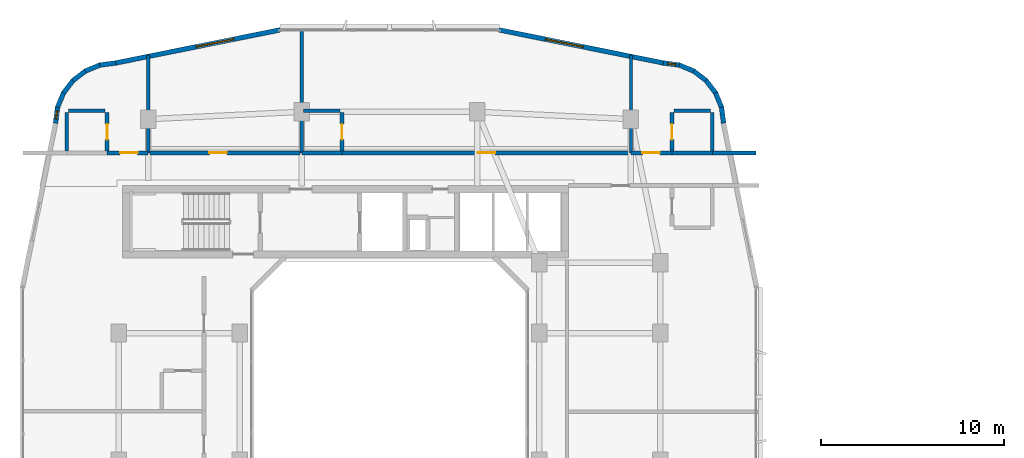
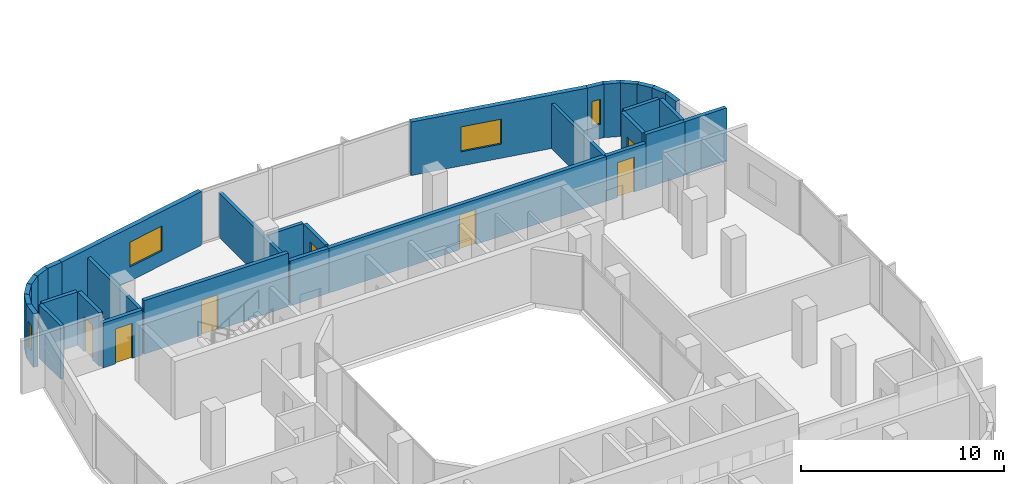
# One storey, part 11 of 18: 32 walls, 7 doors, 4 windows, 11 openings.
"""IFC4 building model written with IfcOpenShell, lengths in metres."""

from ifc_helpers import new_model, si_unit, derived_unit, direction, frame, frame_2d, origin, place, context, subcontext, project, spatial, rectangle, extrude, material, layer, layer_set, type_object, element, fill, save


model = new_model("IFC4")

# Units and contexts
model_context = context("Model", 3, precision=1e-05, world=origin(), true_north=direction((0.0, 1.0)))
body_context = subcontext(model_context, "Body", "Model", "MODEL_VIEW")
ifc_project = project(units=[si_unit("LENGTHUNIT", "METRE"), si_unit("AREAUNIT", "SQUARE_METRE"), si_unit("VOLUMEUNIT", "CUBIC_METRE"), si_unit("PLANEANGLEUNIT", "RADIAN"), si_unit("MASSUNIT", "GRAM", prefix="KILO"), derived_unit("THERMALTRANSMITTANCEUNIT", [(si_unit("POWERUNIT", "WATT"), 1), (si_unit("LENGTHUNIT", "METRE"), -2), (si_unit("THERMODYNAMICTEMPERATUREUNIT", "KELVIN"), -1)])], contexts=[model_context])

# Site, building, storey
site_placement = place(None, origin())
site = spatial("IfcSite", under=ifc_project, at=site_placement, CompositionType="ELEMENT")
building_placement = place(site_placement, origin())
building = spatial("IfcBuilding", under=site, at=building_placement, Name="Kivonza Crest Hotel", CompositionType="ELEMENT")
storey_placement = place(building_placement, frame((0.0, 0.0, 131.0)))
storey = spatial("IfcBuildingStorey", under=building, at=storey_placement, Name="L35", CompositionType="ELEMENT", Elevation=131.0)

# Walls
ifc_material_1 = material(Name="High-density acoustic masonry inter-tenancy wall", Category="masonry")
ifc_layer_1 = layer(ifc_material_1, 0.179931640625)
ifc_layer_set_1 = layer_set([ifc_layer_1], Name="High-density acoustic masonry inter-tenancy wall")
wall_type_1 = type_object("IfcWallType", Name="WL-ACOU-180", PredefinedType="SOLIDWALL", material=ifc_layer_set_1)
wall_1_placement = place(storey_placement, frame((7.800048828125, 38.35009765625, 0.0), z_axis=(0.0, 0.0, 1.0), x_axis=(0.0, 1.0, 0.0)))
element("IfcWall", 1, at=wall_1_placement, inside=storey, type_object=wall_type_1, Name="L35 interior partition WA-L35-T1N-DIV1", PredefinedType="SOLIDWALL", context=body_context, shape_type="SweptSolid", body=[
    extrude(rectangle(XDim=5.350830078125, YDim=0.179931640625, at=frame_2d((2.67529296875, 0.0))), origin(), (0.0, 0.0, 1.0), 2.695068359375),
])
wall_2_placement = place(storey_placement, frame((16.199951171875, 38.35009765625, 0.0), z_axis=(0.0, 0.0, 1.0), x_axis=(0.0, 1.0, 0.0)))
element("IfcWall", 2, at=wall_2_placement, inside=storey, type_object=wall_type_1, Name="L35 interior partition WA-L35-T1N-DIV2", PredefinedType="SOLIDWALL", context=body_context, shape_type="SweptSolid", body=[
    extrude(rectangle(XDim=6.789794921875, YDim=0.179931640625, at=frame_2d((3.39501953125, 0.0))), origin(), (0.0, 0.0, 1.0), 2.695068359375),
])
wall_3_placement = place(storey_placement, frame((34.199951171875, 38.35009765625, 0.0), z_axis=(0.0, 0.0, 1.0), x_axis=(0.0, 1.0, 0.0)))
element("IfcWall", 3, at=wall_3_placement, inside=storey, type_object=wall_type_1, Name="L35 interior partition WA-L35-T1N-DIV3", PredefinedType="SOLIDWALL", context=body_context, shape_type="SweptSolid", body=[
    extrude(rectangle(XDim=5.350830078125, YDim=0.179931640625, at=frame_2d((2.67529296875, 0.0))), origin(), (0.0, 0.0, 1.0), 2.695068359375),
])

# Wall, opening, door
ifc_material_2 = material(Name="Autoclaved aerated concrete blockwork", Category="masonry")
ifc_layer_2 = layer(ifc_material_2, 0.219970703125)
ifc_layer_set_2 = layer_set([ifc_layer_2], Name="Autoclaved aerated concrete blockwork")
wall_type_2 = type_object("IfcWallType", Name="WL-ACOU-220", PredefinedType="SOLIDWALL", material=ifc_layer_set_2)
wall_4_placement = place(storey_placement, frame((5.550048828125, 38.35009765625, 0.0), z_axis=(0.0, 0.0, 1.0), x_axis=(1.0, 0.0, 0.0)))
wall_4 = element("IfcWall", 4, at=wall_4_placement, inside=storey, type_object=wall_type_2, Name="L35 interior partition WA-L35-N01-MCORR", PredefinedType="SOLIDWALL", context=body_context, shape_type="SweptSolid", body=[
    extrude(rectangle(XDim=2.25, YDim=0.219970703125, at=frame_2d((1.125, 0.0))), origin(), (0.0, 0.0, 1.0), 2.695068359375),
])
opening_1_placement = place(wall_4_placement, frame((0.719970703125, 0.0, 0.0)))
opening_1 = element("IfcOpeningElement", 5, at=opening_1_placement, cuts=wall_4, Name="Opening DU-60", PredefinedType="OPENING", context=body_context, shape_type="SweptSolid", body=[
    extrude(rectangle(XDim=0.949951171875, YDim=2.10009765625, at=frame_2d((0.47509765625, 1.050048828125))), frame((0.0, 0.1201171875, 0.0), z_axis=(0.0, -1.0, 0.0), x_axis=(1.0, 0.0, 0.0)), (0.0, 0.0, 1.0), 0.239990234375),
])
ifc_material_3 = material(Name="Hardwood timber oak", Category="wood")
door_type_1 = type_object("IfcDoorType", Name="DR-UNIT-950", OperationType="NOTDEFINED", PredefinedType="DOOR", material=ifc_material_3)
door_1_placement = place(opening_1_placement, origin())
door_1 = element("IfcDoor", 6, at=door_1_placement, inside=storey, type_object=door_type_1, Name="L35 N01 guest unit entrance fire door", OperationType="SINGLE_SWING_LEFT", OverallHeight=2.10009765625, OverallWidth=0.949951171875, PredefinedType="DOOR", context=body_context, shape_type="SweptSolid", body=[
    extrude(rectangle(XDim=0.949951171875, YDim=2.10009765625, at=frame_2d((0.47509765625, 1.050048828125))), frame((0.0, 0.02490234375, 0.0), z_axis=(0.0, -1.0, 0.0), x_axis=(1.0, 0.0, 0.0)), (0.0, 0.0, 1.0), 0.050048828125),
])
fill(opening_1, door_1)

wall_5_placement = place(storey_placement, frame((7.89990234375, 38.35009765625, 0.0), z_axis=(0.0, 0.0, 1.0), x_axis=(1.0, 0.0, 0.0)))
wall_5 = element("IfcWall", 7, at=wall_5_placement, inside=storey, type_object=wall_type_2, Name="L35 interior partition WA-L35-HK-MAIN-S", PredefinedType="SOLIDWALL", context=body_context, shape_type="SweptSolid", body=[
    extrude(rectangle(XDim=8.2001953125, YDim=0.219970703125, at=frame_2d((4.10009765625, 0.0))), origin(), (0.0, 0.0, 1.0), 3.219970703125),
])
opening_2_placement = place(wall_5_placement, frame((3.251953125, 0.0, 0.0)))
opening_2 = element("IfcOpeningElement", 8, at=opening_2_placement, cuts=wall_5, Name="Opening DF-60S", PredefinedType="OPENING", context=body_context, shape_type="SweptSolid", body=[
    extrude(rectangle(XDim=0.949951171875, YDim=2.10009765625, at=frame_2d((0.47509765625, 1.050048828125))), frame((0.0, 0.1201171875, 0.0), z_axis=(0.0, -1.0, 0.0), x_axis=(1.0, 0.0, 0.0)), (0.0, 0.0, 1.0), 0.239990234375),
])
door_type_2 = type_object("IfcDoorType", Name="DR-FD60-950", OperationType="NOTDEFINED", PredefinedType="DOOR", material=ifc_material_3)
door_2_placement = place(opening_2_placement, origin())
door_2 = element("IfcDoor", 9, at=door_2_placement, inside=storey, type_object=door_type_2, Name="L35 Housekeeping and Linen Room door", OperationType="SINGLE_SWING_RIGHT", OverallHeight=2.10009765625, OverallWidth=0.949951171875, PredefinedType="DOOR", context=body_context, shape_type="SweptSolid", body=[
    extrude(rectangle(XDim=0.949951171875, YDim=2.10009765625, at=frame_2d((0.47509765625, 1.050048828125))), frame((0.0, 0.02490234375, 0.0), z_axis=(0.0, -1.0, 0.0), x_axis=(1.0, 0.0, 0.0)), (0.0, 0.0, 1.0), 0.050048828125),
])
fill(opening_2, door_2)

# Wall
wall_6_placement = place(storey_placement, frame((16.199951171875, 38.35009765625, 0.0), z_axis=(0.0, 0.0, 1.0), x_axis=(1.0, 0.0, 0.0)))
element("IfcWall", 10, at=wall_6_placement, inside=storey, type_object=wall_type_2, Name="L35 interior partition WA-L35-N02-BCORR", PredefinedType="SOLIDWALL", context=body_context, shape_type="SweptSolid", body=[
    extrude(rectangle(XDim=2.199951171875, YDim=0.219970703125, at=frame_2d((1.10009765625, 0.0))), origin(), (0.0, 0.0, 1.0), 2.695068359375),
])

# Wall, opening, door
wall_7_placement = place(storey_placement, frame((18.39990234375, 38.35009765625, 0.0), z_axis=(0.0, 0.0, 1.0), x_axis=(1.0, 0.0, 0.0)))
wall_7 = element("IfcWall", 11, at=wall_7_placement, inside=storey, type_object=wall_type_2, Name="L35 interior partition WA-L35-N02-MCORR", PredefinedType="SOLIDWALL", context=body_context, shape_type="SweptSolid", body=[
    extrude(rectangle(XDim=15.800048828125, YDim=0.219970703125, at=frame_2d((7.89990234375, 0.0))), origin(), (0.0, 0.0, 1.0), 2.695068359375),
])
opening_3_placement = place(wall_7_placement, frame((7.425048828125, 0.0, 0.0)))
opening_3 = element("IfcOpeningElement", 12, at=opening_3_placement, cuts=wall_7, Name="Opening DU-60", PredefinedType="OPENING", context=body_context, shape_type="SweptSolid", body=[
    extrude(rectangle(XDim=0.949951171875, YDim=2.10009765625, at=frame_2d((0.47509765625, 1.050048828125))), frame((0.0, 0.1201171875, 0.0), z_axis=(0.0, -1.0, 0.0), x_axis=(1.0, 0.0, 0.0)), (0.0, 0.0, 1.0), 0.239990234375),
])
door_3_placement = place(opening_3_placement, origin())
door_3 = element("IfcDoor", 13, at=door_3_placement, inside=storey, type_object=door_type_1, Name="L35 N02 guest unit entrance fire door", OperationType="SINGLE_SWING_RIGHT", OverallHeight=2.10009765625, OverallWidth=0.949951171875, PredefinedType="DOOR", context=body_context, shape_type="SweptSolid", body=[
    extrude(rectangle(XDim=0.949951171875, YDim=2.10009765625, at=frame_2d((0.47509765625, 1.050048828125))), frame((0.0, 0.02490234375, 0.0), z_axis=(0.0, -1.0, 0.0), x_axis=(1.0, 0.0, 0.0)), (0.0, 0.0, 1.0), 0.050048828125),
])
fill(opening_3, door_3)

# Walls
wall_8_placement = place(storey_placement, frame((38.64990234375, 38.35009765625, 0.0), z_axis=(0.0, 0.0, 1.0), x_axis=(1.0, 0.0, 0.0)))
element("IfcWall", 14, at=wall_8_placement, inside=storey, type_object=wall_type_2, Name="L35 interior partition WA-L35-N03-XCORR", PredefinedType="SOLIDWALL", context=body_context, shape_type="SweptSolid", body=[
    extrude(rectangle(XDim=2.39013671875, YDim=0.219970703125, at=frame_2d((1.195068359375, 0.0))), origin(), (0.0, 0.0, 1.0), 3.219970703125),
])
wall_9_placement = place(storey_placement, frame((36.449951171875, 38.35009765625, 0.0), z_axis=(0.0, 0.0, 1.0), x_axis=(1.0, 0.0, 0.0)))
element("IfcWall", 15, at=wall_9_placement, inside=storey, type_object=wall_type_2, Name="L35 interior partition WA-L35-N03-BCORR", PredefinedType="SOLIDWALL", context=body_context, shape_type="SweptSolid", body=[
    extrude(rectangle(XDim=2.199951171875, YDim=0.219970703125, at=frame_2d((1.10009765625, 0.0))), origin(), (0.0, 0.0, 1.0), 3.219970703125),
])

# Wall, opening, door
wall_10_placement = place(storey_placement, frame((34.199951171875, 38.35009765625, 0.0), z_axis=(0.0, 0.0, 1.0), x_axis=(1.0, 0.0, 0.0)))
wall_10 = element("IfcWall", 16, at=wall_10_placement, inside=storey, type_object=wall_type_2, Name="L35 interior partition WA-L35-N03-MCORR", PredefinedType="SOLIDWALL", context=body_context, shape_type="SweptSolid", body=[
    extrude(rectangle(XDim=2.25, YDim=0.219970703125, at=frame_2d((1.125, 0.0))), origin(), (0.0, 0.0, 1.0), 2.695068359375),
])
opening_4_placement = place(wall_10_placement, frame((0.6298828125, 0.0, 0.0)))
opening_4 = element("IfcOpeningElement", 17, at=opening_4_placement, cuts=wall_10, Name="Opening DU-60", PredefinedType="OPENING", context=body_context, shape_type="SweptSolid", body=[
    extrude(rectangle(XDim=0.949951171875, YDim=2.10009765625, at=frame_2d((0.47509765625, 1.050048828125))), frame((0.0, 0.1201171875, 0.0), z_axis=(0.0, -1.0, 0.0), x_axis=(1.0, 0.0, 0.0)), (0.0, 0.0, 1.0), 0.239990234375),
])
door_4_placement = place(opening_4_placement, origin())
door_4 = element("IfcDoor", 18, at=door_4_placement, inside=storey, type_object=door_type_1, Name="L35 N03 guest unit entrance fire door", OperationType="SINGLE_SWING_LEFT", OverallHeight=2.10009765625, OverallWidth=0.949951171875, PredefinedType="DOOR", context=body_context, shape_type="SweptSolid", body=[
    extrude(rectangle(XDim=0.949951171875, YDim=2.10009765625, at=frame_2d((0.47509765625, 1.050048828125))), frame((0.0, 0.02490234375, 0.0), z_axis=(0.0, -1.0, 0.0), x_axis=(1.0, 0.0, 0.0)), (0.0, 0.0, 1.0), 0.050048828125),
])
fill(opening_4, door_4)

# Walls
ifc_material_4 = material(Name="Precast concrete C40/50", Category="concrete")
ifc_layer_3 = layer(ifc_material_4, 0.260009765625)
ifc_layer_set_3 = layer_set([ifc_layer_3], Name="Precast concrete C40/50")
wall_type_3 = type_object("IfcWallType", Name="WL-EXT-260", PredefinedType="STANDARD", material=ifc_layer_set_3)
wall_11_placement = place(storey_placement, frame((39.27197265625, 39.97509765625, 0.0), z_axis=(0.0, 0.0, 1.0), x_axis=(-0.130953706898, 0.991388484223, 0.0)))
element("IfcWall", 19, at=wall_11_placement, inside=storey, type_object=wall_type_3, Name="L35 T1 exterior insulated wall 19", PredefinedType="STANDARD", context=body_context, shape_type="SweptSolid", body=[
    extrude(rectangle(XDim=0.885498046875, YDim=0.260009765625, at=frame_2d((0.44287109375, 0.0))), origin(), (0.0, 0.0, 1.0), 3.219970703125),
])
wall_12_placement = place(storey_placement, frame((39.174072265625, 40.806884765625, 0.0), z_axis=(0.0, 0.0, 1.0), x_axis=(-0.383290660547, 0.923627776508, 0.0)))
element("IfcWall", 20, at=wall_12_placement, inside=storey, type_object=wall_type_3, Name="L35 T1 exterior insulated wall 20", PredefinedType="STANDARD", context=body_context, shape_type="SweptSolid", body=[
    extrude(rectangle(XDim=0.9033203125, YDim=0.260009765625, at=frame_2d((0.45166015625, 0.0))), origin(), (0.0, 0.0, 1.0), 3.219970703125),
])
wall_13_placement = place(storey_placement, frame((38.85595703125, 41.60107421875, 0.0), z_axis=(0.0, 0.0, 1.0), x_axis=(-0.608624690463, 0.793458244748, 0.0)))
element("IfcWall", 21, at=wall_13_placement, inside=storey, type_object=wall_type_3, Name="L35 T1 exterior insulated wall 21", PredefinedType="STANDARD", context=body_context, shape_type="SweptSolid", body=[
    extrude(rectangle(XDim=0.902099609375, YDim=0.260009765625, at=frame_2d((0.451171875, 0.0))), origin(), (0.0, 0.0, 1.0), 3.219970703125),
])
wall_14_placement = place(storey_placement, frame((38.344970703125, 42.285888671875, 0.0), z_axis=(0.0, 0.0, 1.0), x_axis=(-0.793558456666, 0.608494022858, 0.0)))
element("IfcWall", 22, at=wall_14_placement, inside=storey, type_object=wall_type_3, Name="L35 T1 exterior insulated wall 22", PredefinedType="STANDARD", context=body_context, shape_type="SweptSolid", body=[
    extrude(rectangle(XDim=0.90234375, YDim=0.260009765625, at=frame_2d((0.451171875, 0.0))), origin(), (0.0, 0.0, 1.0), 3.219970703125),
])
wall_15_placement = place(storey_placement, frame((37.673095703125, 42.81396484375, 0.0), z_axis=(0.0, 0.0, 1.0), x_axis=(-0.923683767999, 0.383155708213, 0.0)))
element("IfcWall", 23, at=wall_15_placement, inside=storey, type_object=wall_type_3, Name="L35 T1 exterior insulated wall 23", PredefinedType="STANDARD", context=body_context, shape_type="SweptSolid", body=[
    extrude(rectangle(XDim=0.90283203125, YDim=0.260009765625, at=frame_2d((0.451416015625, 0.0))), origin(), (0.0, 0.0, 1.0), 3.219970703125),
])

# Wall, opening, window
wall_16_placement = place(storey_placement, frame((36.887939453125, 43.152099609375, 0.0), z_axis=(0.0, 0.0, 1.0), x_axis=(-0.991487658083, 0.130200706103, 0.0)))
wall_16 = element("IfcWall", 24, at=wall_16_placement, inside=storey, type_object=wall_type_3, Name="L35 T1 exterior insulated wall 24", PredefinedType="STANDARD", context=body_context, shape_type="SweptSolid", body=[
    extrude(rectangle(XDim=0.920654296875, YDim=0.260009765625, at=frame_2d((0.46044921875, 0.0))), origin(), (0.0, 0.0, 1.0), 3.219970703125),
])
opening_5_placement = place(wall_16_placement, frame((0.235107421875, 0.0, 0.85009765625)))
opening_5 = element("IfcOpeningElement", 25, at=opening_5_placement, cuts=wall_16, Name="Opening WN-11", PredefinedType="OPENING", context=body_context, shape_type="SweptSolid", body=[
    extrude(rectangle(XDim=0.449951171875, YDim=1.5, at=frame_2d((0.22509765625, 0.75))), frame((0.0, 0.14013671875, 0.0), z_axis=(0.0, -1.0, 0.0), x_axis=(1.0, 0.0, 0.0)), (0.0, 0.0, 1.0), 0.280029296875),
])
ifc_material_5 = material(Name="Thermally broken bronze aluminium and low-E double glazing", Category="aluminium")
window_type_1 = type_object("IfcWindowType", Name="WN-045x150", PartitioningType="SINGLE_PANEL", PredefinedType="WINDOW", material=ifc_material_5)
window_1_placement = place(opening_5_placement, origin())
window_1 = element("IfcWindow", 26, at=window_1_placement, inside=storey, type_object=window_type_1, Name="L35 corner vision window 2", OverallHeight=1.5, OverallWidth=0.449951171875, PartitioningType="SINGLE_PANEL", PredefinedType="WINDOW", context=body_context, shape_type="SweptSolid", body=[
    extrude(rectangle(XDim=0.449951171875, YDim=1.5, at=frame_2d((0.22509765625, 0.75))), frame((0.0, 0.030029296875, 0.0), z_axis=(0.0, -1.0, 0.0), x_axis=(1.0, 0.0, 0.0)), (0.0, 0.0, 1.0), 0.06005859375),
])
fill(opening_5, window_1)

wall_17_placement = place(storey_placement, frame((35.98193359375, 43.27099609375, 0.0), z_axis=(0.0, 0.0, 1.0), x_axis=(-0.980315963543, 0.197435082048, 0.0)))
wall_17 = element("IfcWall", 27, at=wall_17_placement, inside=storey, type_object=wall_type_3, Name="L35 T1 exterior insulated wall 25", PredefinedType="STANDARD", context=body_context, shape_type="SweptSolid", body=[
    extrude(rectangle(XDim=9.1826171875, YDim=0.260009765625, at=frame_2d((4.59130859375, 0.0))), origin(), (0.0, 0.0, 1.0), 3.219970703125),
])
opening_6_placement = place(wall_17_placement, frame((4.487060546875, 0.0, 0.85009765625)))
opening_6 = element("IfcOpeningElement", 28, at=opening_6_placement, cuts=wall_17, Name="Opening WN-04", PredefinedType="OPENING", context=body_context, shape_type="SweptSolid", body=[
    extrude(rectangle(XDim=2.10009765625, YDim=1.5, at=frame_2d((1.050048828125, 0.75))), frame((0.0, 0.14013671875, 0.0), z_axis=(0.0, -1.0, 0.0), x_axis=(1.0, 0.0, 0.0)), (0.0, 0.0, 1.0), 0.280029296875),
])
window_type_2 = type_object("IfcWindowType", Name="WN-210x150", PartitioningType="DOUBLE_PANEL_VERTICAL", PredefinedType="WINDOW", material=ifc_material_5)
window_2_placement = place(opening_6_placement, origin())
window_2 = element("IfcWindow", 29, at=window_2_placement, inside=storey, type_object=window_type_2, Name="L35 T1 facade window 25", OverallHeight=1.5, OverallWidth=2.10009765625, PartitioningType="SINGLE_PANEL", PredefinedType="WINDOW", context=body_context, shape_type="SweptSolid", body=[
    extrude(rectangle(XDim=2.10009765625, YDim=1.5, at=frame_2d((1.050048828125, 0.75))), frame((0.0, 0.030029296875, 0.0), z_axis=(0.0, -1.0, 0.0), x_axis=(1.0, 0.0, 0.0)), (0.0, 0.0, 1.0), 0.06005859375),
])
fill(opening_6, window_2)

wall_18_placement = place(storey_placement, frame((15.02001953125, 45.083984375, 0.0), z_axis=(0.0, 0.0, 1.0), x_axis=(-0.980315963543, -0.197435082048, 0.0)))
wall_18 = element("IfcWall", 30, at=wall_18_placement, inside=storey, type_object=wall_type_3, Name="L35 T1 exterior insulated wall 27", PredefinedType="STANDARD", context=body_context, shape_type="SweptSolid", body=[
    extrude(rectangle(XDim=9.1826171875, YDim=0.260009765625, at=frame_2d((4.59130859375, 0.0))), origin(), (0.0, 0.0, 1.0), 3.219970703125),
])
opening_7_placement = place(wall_18_placement, frame((2.594970703125, 0.0, 0.85009765625)))
opening_7 = element("IfcOpeningElement", 31, at=opening_7_placement, cuts=wall_18, Name="Opening WN-04", PredefinedType="OPENING", context=body_context, shape_type="SweptSolid", body=[
    extrude(rectangle(XDim=2.10009765625, YDim=1.5, at=frame_2d((1.050048828125, 0.75))), frame((0.0, 0.14013671875, 0.0), z_axis=(0.0, -1.0, 0.0), x_axis=(1.0, 0.0, 0.0)), (0.0, 0.0, 1.0), 0.280029296875),
])
window_3_placement = place(opening_7_placement, origin())
window_3 = element("IfcWindow", 32, at=window_3_placement, inside=storey, type_object=window_type_2, Name="L35 T1 facade window 27", OverallHeight=1.5, OverallWidth=2.10009765625, PartitioningType="SINGLE_PANEL", PredefinedType="WINDOW", context=body_context, shape_type="SweptSolid", body=[
    extrude(rectangle(XDim=2.10009765625, YDim=1.5, at=frame_2d((1.050048828125, 0.75))), frame((0.0, 0.030029296875, 0.0), z_axis=(0.0, -1.0, 0.0), x_axis=(1.0, 0.0, 0.0)), (0.0, 0.0, 1.0), 0.06005859375),
])
fill(opening_7, window_3)

# Walls
wall_19_placement = place(storey_placement, frame((6.02490234375, 43.27197265625, 0.0), z_axis=(0.0, 0.0, 1.0), x_axis=(-0.991388484223, -0.130953706898, 0.0)))
element("IfcWall", 33, at=wall_19_placement, inside=storey, type_object=wall_type_3, Name="L35 T1 exterior insulated wall 28", PredefinedType="STANDARD", context=body_context, shape_type="SweptSolid", body=[
    extrude(rectangle(XDim=0.885498046875, YDim=0.260009765625, at=frame_2d((0.44287109375, 0.0))), origin(), (0.0, 0.0, 1.0), 3.219970703125),
])
wall_20_placement = place(storey_placement, frame((5.193115234375, 43.174072265625, 0.0), z_axis=(0.0, 0.0, 1.0), x_axis=(-0.923627776508, -0.383290660547, 0.0)))
element("IfcWall", 34, at=wall_20_placement, inside=storey, type_object=wall_type_3, Name="L35 T1 exterior insulated wall 29", PredefinedType="STANDARD", context=body_context, shape_type="SweptSolid", body=[
    extrude(rectangle(XDim=0.9033203125, YDim=0.260009765625, at=frame_2d((0.45166015625, 0.0))), origin(), (0.0, 0.0, 1.0), 3.219970703125),
])
wall_21_placement = place(storey_placement, frame((4.39892578125, 42.85595703125, 0.0), z_axis=(0.0, 0.0, 1.0), x_axis=(-0.793458244748, -0.608624690463, 0.0)))
element("IfcWall", 35, at=wall_21_placement, inside=storey, type_object=wall_type_3, Name="L35 T1 exterior insulated wall 30", PredefinedType="STANDARD", context=body_context, shape_type="SweptSolid", body=[
    extrude(rectangle(XDim=0.902099609375, YDim=0.260009765625, at=frame_2d((0.451171875, 0.0))), origin(), (0.0, 0.0, 1.0), 3.219970703125),
])
wall_22_placement = place(storey_placement, frame((3.714111328125, 42.344970703125, 0.0), z_axis=(0.0, 0.0, 1.0), x_axis=(-0.608494022858, -0.793558456666, 0.0)))
element("IfcWall", 36, at=wall_22_placement, inside=storey, type_object=wall_type_3, Name="L35 T1 exterior insulated wall 31", PredefinedType="STANDARD", context=body_context, shape_type="SweptSolid", body=[
    extrude(rectangle(XDim=0.90234375, YDim=0.260009765625, at=frame_2d((0.451171875, 0.0))), origin(), (0.0, 0.0, 1.0), 3.219970703125),
])
wall_23_placement = place(storey_placement, frame((3.18603515625, 41.673095703125, 0.0), z_axis=(0.0, 0.0, 1.0), x_axis=(-0.383155708213, -0.923683767999, 0.0)))
element("IfcWall", 37, at=wall_23_placement, inside=storey, type_object=wall_type_3, Name="L35 T1 exterior insulated wall 32", PredefinedType="STANDARD", context=body_context, shape_type="SweptSolid", body=[
    extrude(rectangle(XDim=0.90283203125, YDim=0.260009765625, at=frame_2d((0.451416015625, 0.0))), origin(), (0.0, 0.0, 1.0), 3.219970703125),
])

# Wall, opening, window
wall_24_placement = place(storey_placement, frame((2.847900390625, 40.887939453125, 0.0), z_axis=(0.0, 0.0, 1.0), x_axis=(-0.130200706103, -0.991487658083, 0.0)))
wall_24 = element("IfcWall", 38, at=wall_24_placement, inside=storey, type_object=wall_type_3, Name="L35 T1 exterior insulated wall 33", PredefinedType="STANDARD", context=body_context, shape_type="SweptSolid", body=[
    extrude(rectangle(XDim=0.920654296875, YDim=0.260009765625, at=frame_2d((0.46044921875, 0.0))), origin(), (0.0, 0.0, 1.0), 3.219970703125),
])
opening_8_placement = place(wall_24_placement, frame((0.235107421875, 0.0, 0.85009765625)))
opening_8 = element("IfcOpeningElement", 39, at=opening_8_placement, cuts=wall_24, Name="Opening WN-11", PredefinedType="OPENING", context=body_context, shape_type="SweptSolid", body=[
    extrude(rectangle(XDim=0.449951171875, YDim=1.5, at=frame_2d((0.22509765625, 0.75))), frame((0.0, 0.14013671875, 0.0), z_axis=(0.0, -1.0, 0.0), x_axis=(1.0, 0.0, 0.0)), (0.0, 0.0, 1.0), 0.280029296875),
])
window_4_placement = place(opening_8_placement, origin())
window_4 = element("IfcWindow", 40, at=window_4_placement, inside=storey, type_object=window_type_1, Name="L35 corner vision window 1", OverallHeight=1.5, OverallWidth=0.449951171875, PartitioningType="SINGLE_PANEL", PredefinedType="WINDOW", context=body_context, shape_type="SweptSolid", body=[
    extrude(rectangle(XDim=0.449951171875, YDim=1.5, at=frame_2d((0.22509765625, 0.75))), frame((0.0, 0.030029296875, 0.0), z_axis=(0.0, -1.0, 0.0), x_axis=(1.0, 0.0, 0.0)), (0.0, 0.0, 1.0), 0.06005859375),
])
fill(opening_8, window_4)

# Wall, opening, door
ifc_material_6 = material(Name="Moisture-resistant plumbing chase partition wall", Category="gypsum")
ifc_layer_4 = layer(ifc_material_6, 0.199951171875)
ifc_layer_set_4 = layer_set([ifc_layer_4], Name="Moisture-resistant plumbing chase partition wall")
wall_type_4 = type_object("IfcWallType", Name="WL-PLUMB-200", PredefinedType="PLUMBINGWALL", material=ifc_layer_set_4)
wall_25_placement = place(storey_placement, frame((5.550048828125, 38.449951171875, 0.0), z_axis=(0.0, 0.0, 1.0), x_axis=(0.0, 1.0, 0.0)))
wall_25 = element("IfcWall", 41, at=wall_25_placement, inside=storey, type_object=wall_type_4, Name="L35 interior partition WW-L35-N01-BV", PredefinedType="PLUMBINGWALL", context=body_context, shape_type="SweptSolid", body=[
    extrude(rectangle(XDim=2.10009765625, YDim=0.199951171875, at=frame_2d((1.050048828125, 0.0))), origin(), (0.0, 0.0, 1.0), 3.219970703125),
])
opening_9_placement = place(wall_25_placement, frame((0.625, 0.0, 0.0)))
opening_9 = element("IfcOpeningElement", 42, at=opening_9_placement, cuts=wall_25, Name="Opening DI-85", PredefinedType="OPENING", context=body_context, shape_type="SweptSolid", body=[
    extrude(rectangle(XDim=0.85009765625, YDim=2.10009765625, at=frame_2d((0.425048828125, 1.050048828125))), frame((0.0, 0.10986328125, 0.0), z_axis=(0.0, -1.0, 0.0), x_axis=(1.0, 0.0, 0.0)), (0.0, 0.0, 1.0), 0.219970703125),
])
door_type_3 = type_object("IfcDoorType", Name="DR-INT-850", OperationType="NOTDEFINED", PredefinedType="DOOR", material=ifc_material_3)
door_5_placement = place(opening_9_placement, frame((0.85009765625, 0.0, 0.0), z_axis=(0.0, 0.0, 1.0), x_axis=(-1.0, 0.0, 0.0)))
door_5 = element("IfcDoor", 43, at=door_5_placement, inside=storey, type_object=door_type_3, Name="L35 N01 en-suite bathroom door", OperationType="SINGLE_SWING_RIGHT", OverallHeight=2.10009765625, OverallWidth=0.85009765625, PredefinedType="DOOR", context=body_context, shape_type="SweptSolid", body=[
    extrude(rectangle(XDim=0.85009765625, YDim=2.10009765625, at=frame_2d((0.425048828125, 1.050048828125))), frame((0.0, 0.02490234375, 0.0), z_axis=(0.0, -1.0, 0.0), x_axis=(1.0, 0.0, 0.0)), (0.0, 0.0, 1.0), 0.050048828125),
])
fill(opening_9, door_5)

# Walls
wall_26_placement = place(storey_placement, frame((3.449951171875, 40.64990234375, 0.0), z_axis=(0.0, 0.0, 1.0), x_axis=(1.0, 0.0, 0.0)))
element("IfcWall", 44, at=wall_26_placement, inside=storey, type_object=wall_type_4, Name="L35 interior partition WW-L35-N01-BH", PredefinedType="PLUMBINGWALL", context=body_context, shape_type="SweptSolid", body=[
    extrude(rectangle(XDim=2.0, YDim=0.199951171875, at=frame_2d((1.0, 0.0))), origin(), (0.0, 0.0, 1.0), 3.219970703125),
])
wall_27_placement = place(storey_placement, frame((3.35009765625, 38.449951171875, 0.0), z_axis=(0.0, 0.0, 1.0), x_axis=(0.0, 1.0, 0.0)))
element("IfcWall", 45, at=wall_27_placement, inside=storey, type_object=wall_type_4, Name="L35 interior partition WW-L35-N01-BVW", PredefinedType="PLUMBINGWALL", context=body_context, shape_type="SweptSolid", body=[
    extrude(rectangle(XDim=2.10009765625, YDim=0.199951171875, at=frame_2d((1.050048828125, 0.0))), origin(), (0.0, 0.0, 1.0), 3.219970703125),
])

# Wall, opening, door
wall_28_placement = place(storey_placement, frame((18.39990234375, 38.449951171875, 0.0), z_axis=(0.0, 0.0, 1.0), x_axis=(0.0, 1.0, 0.0)))
wall_28 = element("IfcWall", 46, at=wall_28_placement, inside=storey, type_object=wall_type_4, Name="L35 interior partition WW-L35-N02-BV", PredefinedType="PLUMBINGWALL", context=body_context, shape_type="SweptSolid", body=[
    extrude(rectangle(XDim=2.10009765625, YDim=0.199951171875, at=frame_2d((1.050048828125, 0.0))), origin(), (0.0, 0.0, 1.0), 2.794921875),
])
opening_10_placement = place(wall_28_placement, frame((0.625, 0.0, 0.0)))
opening_10 = element("IfcOpeningElement", 47, at=opening_10_placement, cuts=wall_28, Name="Opening DI-85", PredefinedType="OPENING", context=body_context, shape_type="SweptSolid", body=[
    extrude(rectangle(XDim=0.85009765625, YDim=2.10009765625, at=frame_2d((0.425048828125, 1.050048828125))), frame((0.0, 0.10986328125, 0.0), z_axis=(0.0, -1.0, 0.0), x_axis=(1.0, 0.0, 0.0)), (0.0, 0.0, 1.0), 0.219970703125),
])
door_6_placement = place(opening_10_placement, frame((0.85009765625, 0.0, 0.0), z_axis=(0.0, 0.0, 1.0), x_axis=(-1.0, 0.0, 0.0)))
door_6 = element("IfcDoor", 48, at=door_6_placement, inside=storey, type_object=door_type_3, Name="L35 N02 en-suite bathroom door", OperationType="SINGLE_SWING_LEFT", OverallHeight=2.10009765625, OverallWidth=0.85009765625, PredefinedType="DOOR", context=body_context, shape_type="SweptSolid", body=[
    extrude(rectangle(XDim=0.85009765625, YDim=2.10009765625, at=frame_2d((0.425048828125, 1.050048828125))), frame((0.0, 0.02490234375, 0.0), z_axis=(0.0, -1.0, 0.0), x_axis=(1.0, 0.0, 0.0)), (0.0, 0.0, 1.0), 0.050048828125),
])
fill(opening_10, door_6)

# Wall
wall_29_placement = place(storey_placement, frame((16.300048828125, 40.64990234375, 0.0), z_axis=(0.0, 0.0, 1.0), x_axis=(1.0, 0.0, 0.0)))
element("IfcWall", 49, at=wall_29_placement, inside=storey, type_object=wall_type_4, Name="L35 interior partition WW-L35-N02-BH", PredefinedType="PLUMBINGWALL", context=body_context, shape_type="SweptSolid", body=[
    extrude(rectangle(XDim=2.0, YDim=0.199951171875, at=frame_2d((1.0, 0.0))), origin(), (0.0, 0.0, 1.0), 2.8349609375),
])

# Wall, opening, door
wall_30_placement = place(storey_placement, frame((36.449951171875, 38.449951171875, 0.0), z_axis=(0.0, 0.0, 1.0), x_axis=(0.0, 1.0, 0.0)))
wall_30 = element("IfcWall", 50, at=wall_30_placement, inside=storey, type_object=wall_type_4, Name="L35 interior partition WW-L35-N03-BV", PredefinedType="PLUMBINGWALL", context=body_context, shape_type="SweptSolid", body=[
    extrude(rectangle(XDim=2.10009765625, YDim=0.199951171875, at=frame_2d((1.050048828125, 0.0))), origin(), (0.0, 0.0, 1.0), 3.219970703125),
])
opening_11_placement = place(wall_30_placement, frame((0.625, 0.0, 0.0)))
opening_11 = element("IfcOpeningElement", 51, at=opening_11_placement, cuts=wall_30, Name="Opening DI-85", PredefinedType="OPENING", context=body_context, shape_type="SweptSolid", body=[
    extrude(rectangle(XDim=0.85009765625, YDim=2.10009765625, at=frame_2d((0.425048828125, 1.050048828125))), frame((0.0, 0.10986328125, 0.0), z_axis=(0.0, -1.0, 0.0), x_axis=(1.0, 0.0, 0.0)), (0.0, 0.0, 1.0), 0.219970703125),
])
door_7_placement = place(opening_11_placement, origin())
door_7 = element("IfcDoor", 52, at=door_7_placement, inside=storey, type_object=door_type_3, Name="L35 N03 en-suite bathroom door", OperationType="SINGLE_SWING_RIGHT", OverallHeight=2.10009765625, OverallWidth=0.85009765625, PredefinedType="DOOR", context=body_context, shape_type="SweptSolid", body=[
    extrude(rectangle(XDim=0.85009765625, YDim=2.10009765625, at=frame_2d((0.425048828125, 1.050048828125))), frame((0.0, 0.02490234375, 0.0), z_axis=(0.0, -1.0, 0.0), x_axis=(1.0, 0.0, 0.0)), (0.0, 0.0, 1.0), 0.050048828125),
])
fill(opening_11, door_7)

# Walls
wall_31_placement = place(storey_placement, frame((36.550048828125, 40.64990234375, 0.0), z_axis=(0.0, 0.0, 1.0), x_axis=(1.0, 0.0, 0.0)))
element("IfcWall", 53, at=wall_31_placement, inside=storey, type_object=wall_type_4, Name="L35 interior partition WW-L35-N03-BH", PredefinedType="PLUMBINGWALL", context=body_context, shape_type="SweptSolid", body=[
    extrude(rectangle(XDim=2.0, YDim=0.199951171875, at=frame_2d((1.0, 0.0))), origin(), (0.0, 0.0, 1.0), 3.219970703125),
])
wall_32_placement = place(storey_placement, frame((38.64990234375, 38.449951171875, 0.0), z_axis=(0.0, 0.0, 1.0), x_axis=(0.0, 1.0, 0.0)))
element("IfcWall", 54, at=wall_32_placement, inside=storey, type_object=wall_type_4, Name="L35 interior partition WW-L35-N03-BVE", PredefinedType="PLUMBINGWALL", context=body_context, shape_type="SweptSolid", body=[
    extrude(rectangle(XDim=2.10009765625, YDim=0.199951171875, at=frame_2d((1.050048828125, 0.0))), origin(), (0.0, 0.0, 1.0), 3.219970703125),
])

save(model, "model.ifc")
